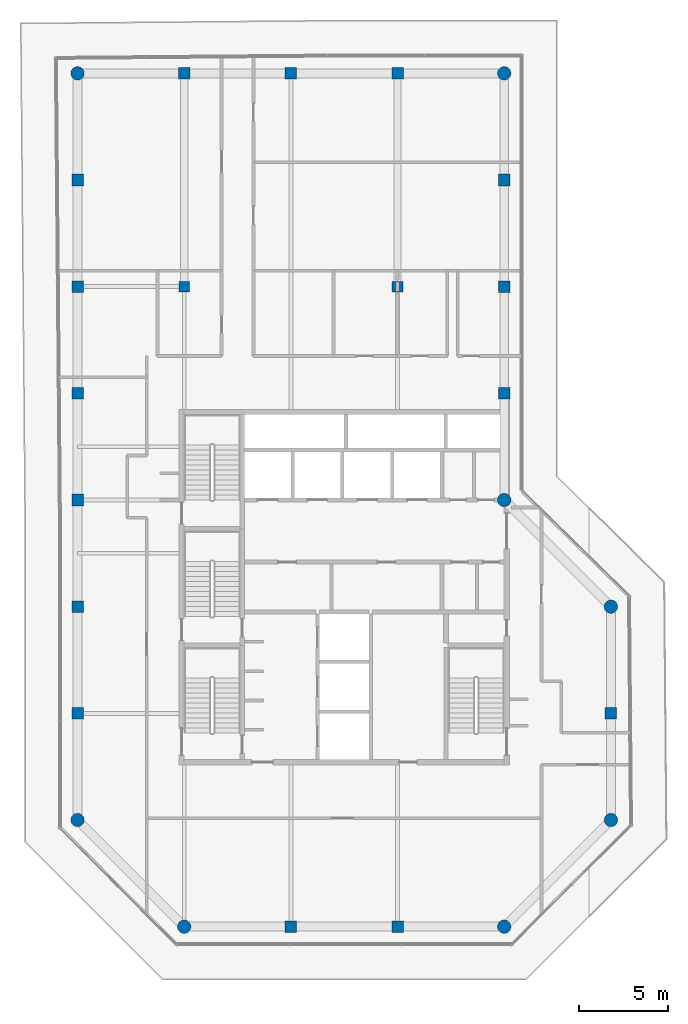
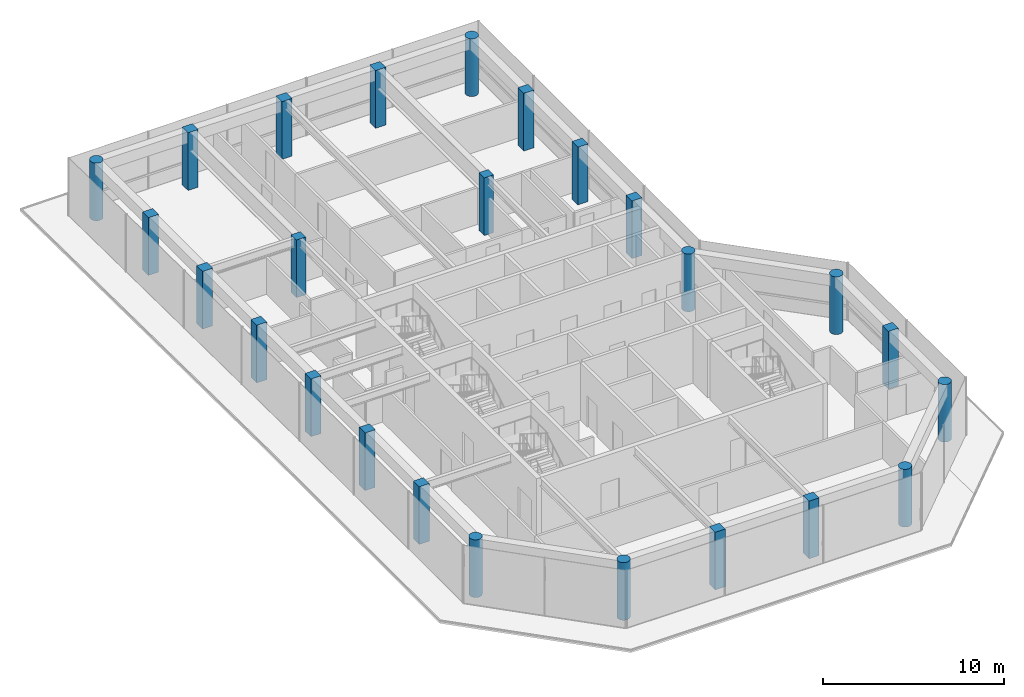
# One storey, part 1 of 21: 25 columns.
"""IFC4 building model written with IfcOpenShell, lengths in metres."""

from ifc_helpers import new_model, si_unit, direction, frame, origin, origin_2d, place, context, subcontext, project, spatial, rectangle, circle, extrude, material, material_profile, profile_set, type_object, element, save


model = new_model("IFC4")

# Units and contexts
model_context = context("Model", 3, precision=1e-05, world=origin(), true_north=direction((0.0, 1.0)))
body_context = subcontext(model_context, "Body", "Model", "MODEL_VIEW")
ifc_project = project(units=[si_unit("LENGTHUNIT", "METRE"), si_unit("AREAUNIT", "SQUARE_METRE"), si_unit("VOLUMEUNIT", "CUBIC_METRE"), si_unit("PLANEANGLEUNIT", "RADIAN"), si_unit("MASSUNIT", "GRAM", prefix="KILO")], contexts=[model_context])

# Site, building, storey
site_placement = place(None, origin())
site = spatial("IfcSite", under=ifc_project, at=site_placement, CompositionType="ELEMENT")
building_placement = place(site_placement, origin())
building = spatial("IfcBuilding", under=site, at=building_placement, Name="Welwitschia Terrace Campus", CompositionType="ELEMENT")
storey_placement = place(building_placement, frame((0.0, 0.0, 331.39990234375)))
storey = spatial("IfcBuildingStorey", under=building, at=storey_placement, Name="L74", CompositionType="ELEMENT", Elevation=331.39990234375)

# Columns
ifc_material_1 = material(Name="Concrete C40/50", Category="concrete")
ifc_material_profile_1 = material_profile(ifc_material_1, circle(Radius=0.375, at=origin_2d()))
ifc_profile_set_1 = profile_set([ifc_material_profile_1], Name="Concrete C40/50")
column_type_1 = type_object("IfcColumnType", Name="Corner column 750 dia", PredefinedType="COLUMN", material=ifc_profile_set_1)
for number, where, z_axis, x_axis, name in (
    (1, (0.0, 2.0, 0.0), (0.0, 0.0, 1.0), (1.0, 0.0, 0.0), "Column C44"),
    (2, (0.0, 44.0, 0.0), (0.0, 0.0, 1.0), (1.0, 0.0, 0.0), "Column C44"),
    (3, (6.0, -4.0, 0.0), (0.0, 0.0, 1.0), (1.0, 0.0, 0.0), "Column C44"),
    (4, (24.0, -4.0, 0.0), (0.0, 0.0, 1.0), (1.0, 0.0, 0.0), "Column C44"),
    (5, (24.0, 20.0, 0.0), (0.0, 0.0, 1.0), (1.0, 0.0, 0.0), "Column C44"),
    (6, (24.0, 44.0, 0.0), (0.0, 0.0, 1.0), (1.0, 0.0, 0.0), "Column C44"),
    (7, (30.0, 2.0, 0.0), (0.0, 0.0, 1.0), (1.0, 0.0, 0.0), "Column C44"),
    (8, (30.0, 14.0, 0.0), (0.0, 0.0, 1.0), (1.0, 0.0, 0.0), "Column C44"),
):
    element("IfcColumn", number, at=place(storey_placement, frame(where, z_axis=z_axis, x_axis=x_axis)), inside=storey, type_object=column_type_1, Name=name, PredefinedType="COLUMN", context=body_context, shape_type="SweptSolid", body=[
        extrude(circle(Radius=0.375, at=origin_2d()), origin(), (0.0, 0.0, 1.0), 3.900146484375),
    ])
ifc_material_2 = material(Name="Concrete C40/50", Category="concrete")
ifc_material_profile_2 = material_profile(ifc_material_2, rectangle(XDim=0.60009765625, YDim=0.60009765625, at=origin_2d()))
ifc_profile_set_2 = profile_set([ifc_material_profile_2], Name="Concrete C40/50")
column_type_2 = type_object("IfcColumnType", Name="Interior column 600x600", PredefinedType="COLUMN", material=ifc_profile_set_2)
for number, where, z_axis, x_axis, name in (
    (9, (6.0, 32.0, 0.0), (0.0, 0.0, 1.0), (1.0, 0.0, 0.0), "Column C46"),
    (10, (18.0, 32.0, 0.0), (0.0, 0.0, 1.0), (1.0, 0.0, 0.0), "Column C46"),
):
    element("IfcColumn", number, at=place(storey_placement, frame(where, z_axis=z_axis, x_axis=x_axis)), inside=storey, type_object=column_type_2, Name=name, PredefinedType="COLUMN", context=body_context, shape_type="SweptSolid", body=[
        extrude(rectangle(XDim=0.60009765625, YDim=0.60009765625, at=origin_2d()), origin(), (0.0, 0.0, 1.0), 3.900146484375),
    ])
ifc_material_3 = material(Name="Concrete C40/50", Category="concrete")
ifc_material_profile_3 = material_profile(ifc_material_3, rectangle(XDim=0.64990234375, YDim=0.64990234375, at=origin_2d()))
ifc_profile_set_3 = profile_set([ifc_material_profile_3], Name="Concrete C40/50")
column_type_3 = type_object("IfcColumnType", Name="Ring column 650x650", PredefinedType="COLUMN", material=ifc_profile_set_3)
for number, where, z_axis, x_axis, name in (
    (11, (0.0, 8.0, 0.0), (0.0, 0.0, 1.0), (1.0, 0.0, 0.0), "Column C45"),
    (12, (0.0, 14.0, 0.0), (0.0, 0.0, 1.0), (1.0, 0.0, 0.0), "Column C45"),
    (13, (0.0, 20.0, 0.0), (0.0, 0.0, 1.0), (1.0, 0.0, 0.0), "Column C45"),
    (14, (0.0, 26.0, 0.0), (0.0, 0.0, 1.0), (1.0, 0.0, 0.0), "Column C45"),
    (15, (0.0, 32.0, 0.0), (0.0, 0.0, 1.0), (1.0, 0.0, 0.0), "Column C45"),
    (16, (0.0, 38.0, 0.0), (0.0, 0.0, 1.0), (1.0, 0.0, 0.0), "Column C45"),
    (17, (6.0, 44.0, 0.0), (0.0, 0.0, 1.0), (1.0, 0.0, 0.0), "Column C45"),
    (18, (12.0, -4.0, 0.0), (0.0, 0.0, 1.0), (1.0, 0.0, 0.0), "Column C45"),
    (19, (12.0, 44.0, 0.0), (0.0, 0.0, 1.0), (1.0, 0.0, 0.0), "Column C45"),
    (20, (18.0, -4.0, 0.0), (0.0, 0.0, 1.0), (1.0, 0.0, 0.0), "Column C45"),
    (21, (18.0, 44.0, 0.0), (0.0, 0.0, 1.0), (1.0, 0.0, 0.0), "Column C45"),
    (22, (24.0, 26.0, 0.0), (0.0, 0.0, 1.0), (1.0, 0.0, 0.0), "Column C45"),
    (23, (24.0, 32.0, 0.0), (0.0, 0.0, 1.0), (1.0, 0.0, 0.0), "Column C45"),
    (24, (24.0, 38.0, 0.0), (0.0, 0.0, 1.0), (1.0, 0.0, 0.0), "Column C45"),
    (25, (30.0, 8.0, 0.0), (0.0, 0.0, 1.0), (1.0, 0.0, 0.0), "Column C45"),
):
    element("IfcColumn", number, at=place(storey_placement, frame(where, z_axis=z_axis, x_axis=x_axis)), inside=storey, type_object=column_type_3, Name=name, PredefinedType="COLUMN", context=body_context, shape_type="SweptSolid", body=[
        extrude(rectangle(XDim=0.64990234375, YDim=0.64990234375, at=origin_2d()), origin(), (0.0, 0.0, 1.0), 3.900146484375),
    ])

save(model, "model.ifc")
